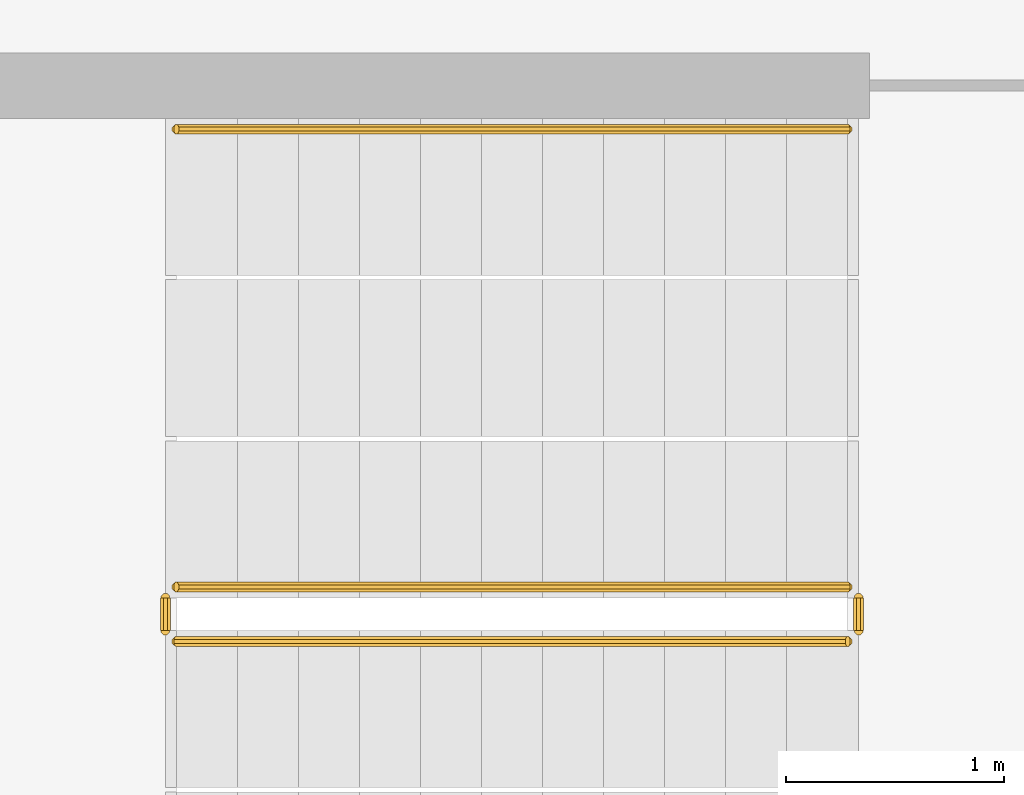
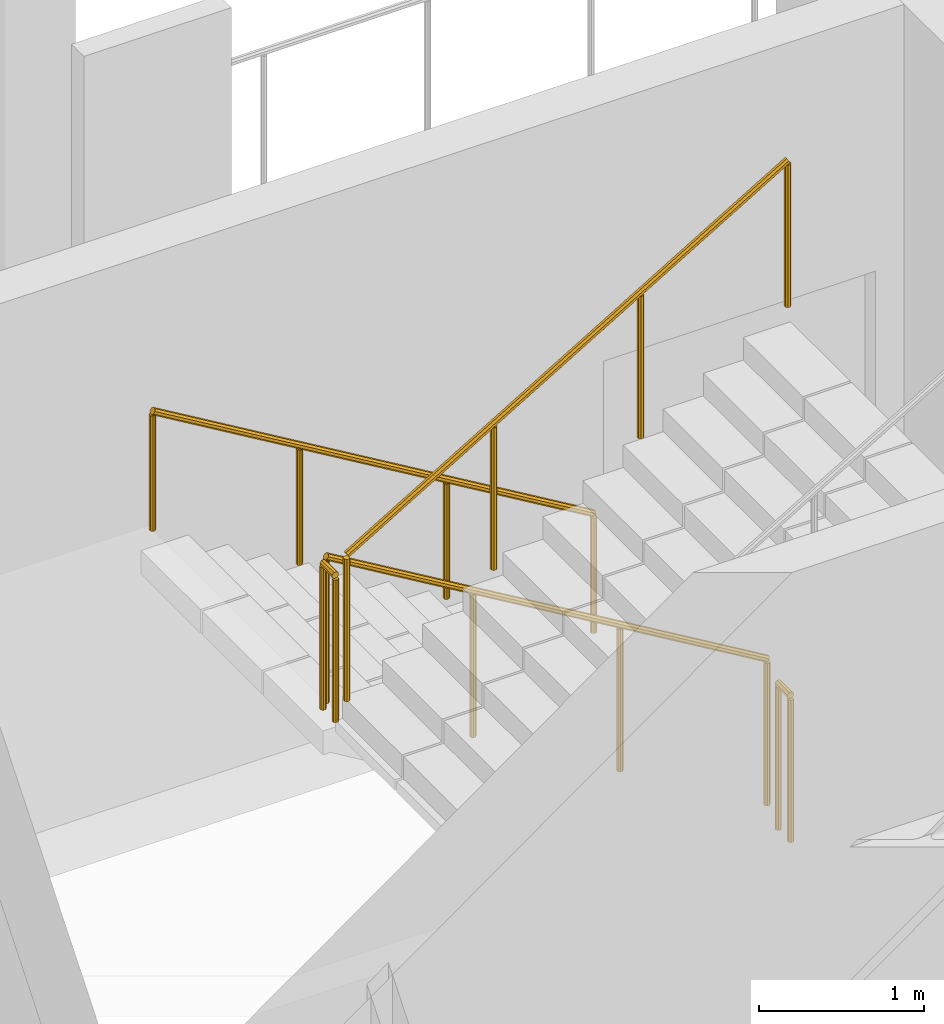
# One storey, part 20 of 28: 5 railings.
"""IFC4 building model written with IfcOpenShell, lengths in metres."""

from ifc_helpers import new_model, si_unit, direction, frame, origin, place, context, subcontext, project, spatial, polyline, outline, extrude, material, type_object, element, save


model = new_model("IFC4")

# Units and contexts
model_context = context("Model", 3, precision=1e-05, world=origin(), true_north=direction((0.0, 1.0)))
body_context = subcontext(model_context, "Body", "Model", "MODEL_VIEW")
ifc_project = project(units=[si_unit("LENGTHUNIT", "METRE"), si_unit("AREAUNIT", "SQUARE_METRE"), si_unit("VOLUMEUNIT", "CUBIC_METRE"), si_unit("PLANEANGLEUNIT", "RADIAN"), si_unit("MASSUNIT", "GRAM", prefix="KILO")], contexts=[model_context])

# Site, building, storey
site_placement = place(None, origin())
site = spatial("IfcSite", under=ifc_project, at=site_placement, CompositionType="ELEMENT")
building_placement = place(site_placement, origin())
building = spatial("IfcBuilding", under=site, at=building_placement, Name="Cormorant Relay Tower", CompositionType="ELEMENT")
storey_placement = place(building_placement, frame((0.0, 0.0, 162.199951171875)))
storey = spatial("IfcBuildingStorey", under=building, at=storey_placement, Name="L34", CompositionType="ELEMENT", Elevation=162.199951171875)

# Railings
ifc_material_1 = material(Name="Steel ASTM A572 Grade 50 (Fy 345 MPa)", Category="steel")
railing_type_1 = type_object("IfcRailingType", Name="Stair guard 1100", PredefinedType="GUARDRAIL", material=ifc_material_1)
railing_1_placement = place(storey_placement, frame((1.60009765625, -18.27490234375, 0.166748046875)))
element("IfcRailing", 1, at=railing_1_placement, inside=storey, type_object=railing_type_1, Name="L34 RK1 stair guard 1", PredefinedType="GUARDRAIL", context=body_context, shape_type="SweptSolid", body=[
    extrude(outline(polyline([(0.022216796875, 0.00927734375), (0.00927734375, 0.022216796875), (-0.00927734375, 0.022216796875), (-0.022216796875, 0.00927734375), (-0.022216796875, -0.00927734375), (-0.00927734375, -0.022216796875), (0.00927734375, -0.022216796875), (0.022216796875, -0.00927734375), (0.022216796875, 0.00927734375)])), frame((0.0, 0.0, 1.076171875), z_axis=(-0.859308565015, 0.0, 0.511457515432), x_axis=(0.0, -1.0, 0.0)), (0.0, 0.0, 1.0), 3.58447265625),
    extrude(outline(polyline([(0.019287109375, 0.008056640625), (0.008056640625, 0.019287109375), (-0.008056640625, 0.019287109375), (-0.019287109375, 0.008056640625), (-0.019287109375, -0.008056640625), (-0.008056640625, -0.019287109375), (0.008056640625, -0.019287109375), (0.019287109375, -0.008056640625), (0.019287109375, 0.008056640625)])), origin(), (0.0, 0.0, 1.0), 1.052001953125),
    extrude(outline(polyline([(0.019287109375, 0.008056640625), (0.008056640625, 0.019287109375), (-0.008056640625, 0.019287109375), (-0.019287109375, 0.008056640625), (-0.019287109375, -0.008056640625), (-0.008056640625, -0.019287109375), (0.008056640625, -0.019287109375), (0.019287109375, -0.008056640625), (0.019287109375, 0.008056640625)])), frame((-1.026611328125, 0.0, 0.611083984375)), (0.0, 0.0, 1.0), 1.052001953125),
    extrude(outline(polyline([(0.019287109375, 0.008056640625), (0.008056640625, 0.019287109375), (-0.008056640625, 0.019287109375), (-0.019287109375, 0.008056640625), (-0.019287109375, -0.008056640625), (-0.008056640625, -0.019287109375), (0.008056640625, -0.019287109375), (0.019287109375, -0.008056640625), (0.019287109375, 0.008056640625)])), frame((-2.053466796875, 0.0, 1.22216796875)), (0.0, 0.0, 1.0), 1.052001953125),
    extrude(outline(polyline([(0.019287109375, 0.008056640625), (0.008056640625, 0.019287109375), (-0.008056640625, 0.019287109375), (-0.019287109375, 0.008056640625), (-0.019287109375, -0.008056640625), (-0.008056640625, -0.019287109375), (0.008056640625, -0.019287109375), (0.019287109375, -0.008056640625), (0.019287109375, 0.008056640625)])), frame((-3.080078125, 0.0, 1.833251953125)), (0.0, 0.0, 1.0), 1.052001953125),
])
railing_2_placement = place(storey_placement, frame((-1.530029296875, -18.324951171875, 2.0)))
element("IfcRailing", 2, at=railing_2_placement, inside=storey, type_object=railing_type_1, Name="L34 RK1 stair guard 2", PredefinedType="GUARDRAIL", context=body_context, shape_type="SweptSolid", body=[
    extrude(outline(polyline([(0.022216796875, 0.00927734375), (0.00927734375, 0.022216796875), (-0.00927734375, 0.022216796875), (-0.022216796875, 0.00927734375), (-0.022216796875, -0.00927734375), (-0.00927734375, -0.022216796875), (0.00927734375, -0.022216796875), (0.022216796875, -0.00927734375), (0.022216796875, 0.00927734375)])), frame((0.0, 0.0, 1.076171875), z_axis=(0.0, -1.0, 0.0), x_axis=(1.0, 0.0, 0.0)), (0.0, 0.0, 1.0), 0.150146484375),
    extrude(outline(polyline([(0.019287109375, 0.008056640625), (0.008056640625, 0.019287109375), (-0.008056640625, 0.019287109375), (-0.019287109375, 0.008056640625), (-0.019287109375, -0.008056640625), (-0.008056640625, -0.019287109375), (0.008056640625, -0.019287109375), (0.019287109375, -0.008056640625), (0.019287109375, 0.008056640625)])), origin(), (0.0, 0.0, 1.0), 1.052001953125),
    extrude(outline(polyline([(0.019287109375, 0.008056640625), (0.008056640625, 0.019287109375), (-0.008056640625, 0.019287109375), (-0.019287109375, 0.008056640625), (-0.019287109375, -0.008056640625), (-0.008056640625, -0.019287109375), (0.008056640625, -0.019287109375), (0.019287109375, -0.008056640625), (0.019287109375, 0.008056640625)])), frame((0.0, -0.150146484375, 0.0)), (0.0, 0.0, 1.0), 1.052001953125),
])
railing_3_placement = place(storey_placement, frame((-1.47998046875, -18.52490234375, 2.166748046875)))
element("IfcRailing", 3, at=railing_3_placement, inside=storey, type_object=railing_type_1, Name="L34 RK1 stair guard 3", PredefinedType="GUARDRAIL", context=body_context, shape_type="SweptSolid", body=[
    extrude(outline(polyline([(0.022216796875, 0.00927734375), (0.00927734375, 0.022216796875), (-0.00927734375, 0.022216796875), (-0.022216796875, 0.00927734375), (-0.022216796875, -0.00927734375), (-0.00927734375, -0.022216796875), (0.00927734375, -0.022216796875), (0.022216796875, -0.00927734375), (0.022216796875, 0.00927734375)])), frame((0.0, 0.0, 1.076171875), z_axis=(0.859308565015, 0.0, 0.511457515432), x_axis=(0.0, 1.0, 0.0)), (0.0, 0.0, 1.0), 3.58447265625),
    extrude(outline(polyline([(0.019287109375, 0.008056640625), (0.008056640625, 0.019287109375), (-0.008056640625, 0.019287109375), (-0.019287109375, 0.008056640625), (-0.019287109375, -0.008056640625), (-0.008056640625, -0.019287109375), (0.008056640625, -0.019287109375), (0.019287109375, -0.008056640625), (0.019287109375, 0.008056640625)])), origin(), (0.0, 0.0, 1.0), 1.052001953125),
    extrude(outline(polyline([(0.019287109375, 0.008056640625), (0.008056640625, 0.019287109375), (-0.008056640625, 0.019287109375), (-0.019287109375, 0.008056640625), (-0.019287109375, -0.008056640625), (-0.008056640625, -0.019287109375), (0.008056640625, -0.019287109375), (0.019287109375, -0.008056640625), (0.019287109375, 0.008056640625)])), frame((1.026611328125, 0.0, 0.611083984375)), (0.0, 0.0, 1.0), 1.052001953125),
    extrude(outline(polyline([(0.019287109375, 0.008056640625), (0.008056640625, 0.019287109375), (-0.008056640625, 0.019287109375), (-0.019287109375, 0.008056640625), (-0.019287109375, -0.008056640625), (-0.008056640625, -0.019287109375), (0.008056640625, -0.019287109375), (0.019287109375, -0.008056640625), (0.019287109375, 0.008056640625)])), frame((2.053466796875, 0.0, 1.22216796875)), (0.0, 0.0, 1.0), 1.052001953125),
    extrude(outline(polyline([(0.019287109375, 0.008056640625), (0.008056640625, 0.019287109375), (-0.008056640625, 0.019287109375), (-0.019287109375, 0.008056640625), (-0.019287109375, -0.008056640625), (-0.008056640625, -0.019287109375), (0.008056640625, -0.019287109375), (0.019287109375, -0.008056640625), (0.019287109375, 0.008056640625)])), frame((3.080078125, 0.0, 1.833251953125)), (0.0, 0.0, 1.0), 1.052001953125),
])
railing_4_placement = place(storey_placement, frame((1.64990234375, -18.324951171875, 0.0)))
element("IfcRailing", 4, at=railing_4_placement, inside=storey, type_object=railing_type_1, Name="L34 RK1 stair guard 4", PredefinedType="GUARDRAIL", context=body_context, shape_type="SweptSolid", body=[
    extrude(outline(polyline([(0.022216796875, 0.00927734375), (0.00927734375, 0.022216796875), (-0.00927734375, 0.022216796875), (-0.022216796875, 0.00927734375), (-0.022216796875, -0.00927734375), (-0.00927734375, -0.022216796875), (0.00927734375, -0.022216796875), (0.022216796875, -0.00927734375), (0.022216796875, 0.00927734375)])), frame((0.0, 0.0, 1.076171875), z_axis=(0.0, -1.0, 0.0), x_axis=(1.0, 0.0, 0.0)), (0.0, 0.0, 1.0), 0.150146484375),
    extrude(outline(polyline([(0.019287109375, 0.008056640625), (0.008056640625, 0.019287109375), (-0.008056640625, 0.019287109375), (-0.019287109375, 0.008056640625), (-0.019287109375, -0.008056640625), (-0.008056640625, -0.019287109375), (0.008056640625, -0.019287109375), (0.019287109375, -0.008056640625), (0.019287109375, 0.008056640625)])), origin(), (0.0, 0.0, 1.0), 1.052001953125),
    extrude(outline(polyline([(0.019287109375, 0.008056640625), (0.008056640625, 0.019287109375), (-0.008056640625, 0.019287109375), (-0.019287109375, 0.008056640625), (-0.019287109375, -0.008056640625), (-0.008056640625, -0.019287109375), (0.008056640625, -0.019287109375), (0.019287109375, -0.008056640625), (0.019287109375, 0.008056640625)])), frame((0.0, -0.150146484375, 0.0)), (0.0, 0.0, 1.0), 1.052001953125),
])
ifc_material_2 = material(Name="Steel ASTM A572 Grade 50 (Fy 345 MPa)", Category="steel")
railing_type_2 = type_object("IfcRailingType", Name="Stair handrail 900", PredefinedType="HANDRAIL", material=ifc_material_2)
railing_5_placement = place(storey_placement, frame((1.60009765625, -16.175048828125, 0.166748046875)))
element("IfcRailing", 5, at=railing_5_placement, inside=storey, type_object=railing_type_2, Name="L34 RK1 stair handrail 1", PredefinedType="HANDRAIL", context=body_context, shape_type="SweptSolid", body=[
    extrude(outline(polyline([(0.022216796875, 0.00927734375), (0.00927734375, 0.022216796875), (-0.00927734375, 0.022216796875), (-0.022216796875, 0.00927734375), (-0.022216796875, -0.00927734375), (-0.00927734375, -0.022216796875), (0.00927734375, -0.022216796875), (0.022216796875, -0.00927734375), (0.022216796875, 0.00927734375)])), frame((0.0, 0.0, 0.8759765625), z_axis=(-0.859308565015, 0.0, 0.511457515432), x_axis=(0.0, -1.0, 0.0)), (0.0, 0.0, 1.0), 3.58447265625),
    extrude(outline(polyline([(0.019287109375, 0.008056640625), (0.008056640625, 0.019287109375), (-0.008056640625, 0.019287109375), (-0.019287109375, 0.008056640625), (-0.019287109375, -0.008056640625), (-0.008056640625, -0.019287109375), (0.008056640625, -0.019287109375), (0.019287109375, -0.008056640625), (0.019287109375, 0.008056640625)])), origin(), (0.0, 0.0, 1.0), 0.851806640625),
    extrude(outline(polyline([(0.019287109375, 0.008056640625), (0.008056640625, 0.019287109375), (-0.008056640625, 0.019287109375), (-0.019287109375, 0.008056640625), (-0.019287109375, -0.008056640625), (-0.008056640625, -0.019287109375), (0.008056640625, -0.019287109375), (0.019287109375, -0.008056640625), (0.019287109375, 0.008056640625)])), frame((-1.026611328125, 0.0, 0.611083984375)), (0.0, 0.0, 1.0), 0.851806640625),
    extrude(outline(polyline([(0.019287109375, 0.008056640625), (0.008056640625, 0.019287109375), (-0.008056640625, 0.019287109375), (-0.019287109375, 0.008056640625), (-0.019287109375, -0.008056640625), (-0.008056640625, -0.019287109375), (0.008056640625, -0.019287109375), (0.019287109375, -0.008056640625), (0.019287109375, 0.008056640625)])), frame((-2.053466796875, 0.0, 1.22216796875)), (0.0, 0.0, 1.0), 0.851806640625),
    extrude(outline(polyline([(0.019287109375, 0.008056640625), (0.008056640625, 0.019287109375), (-0.008056640625, 0.019287109375), (-0.019287109375, 0.008056640625), (-0.019287109375, -0.008056640625), (-0.008056640625, -0.019287109375), (0.008056640625, -0.019287109375), (0.019287109375, -0.008056640625), (0.019287109375, 0.008056640625)])), frame((-3.080078125, 0.0, 1.833251953125)), (0.0, 0.0, 1.0), 0.851806640625),
])

save(model, "model.ifc")
